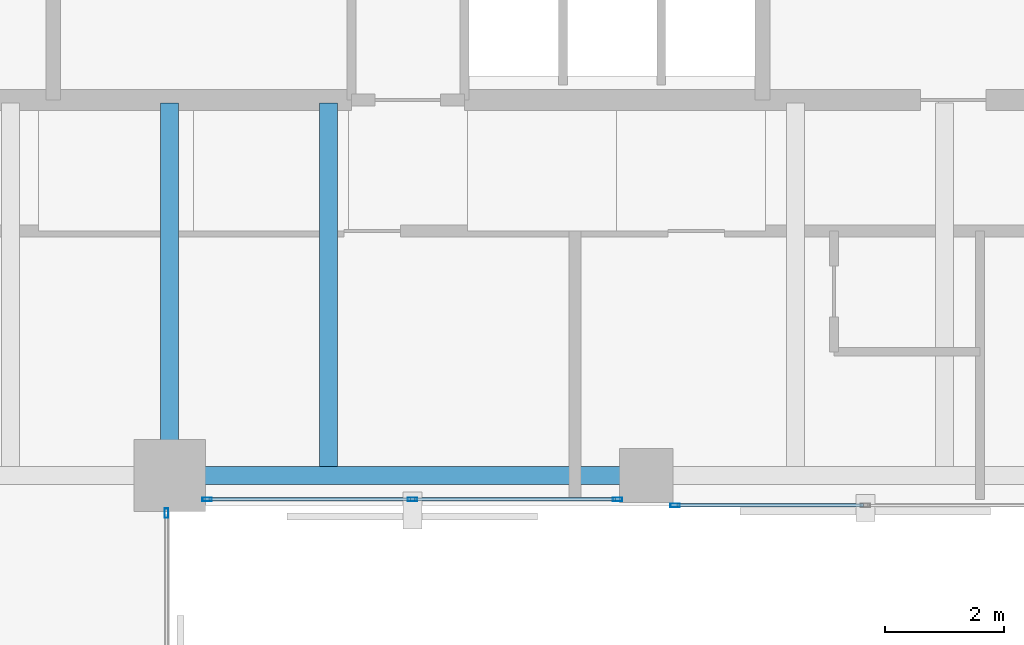
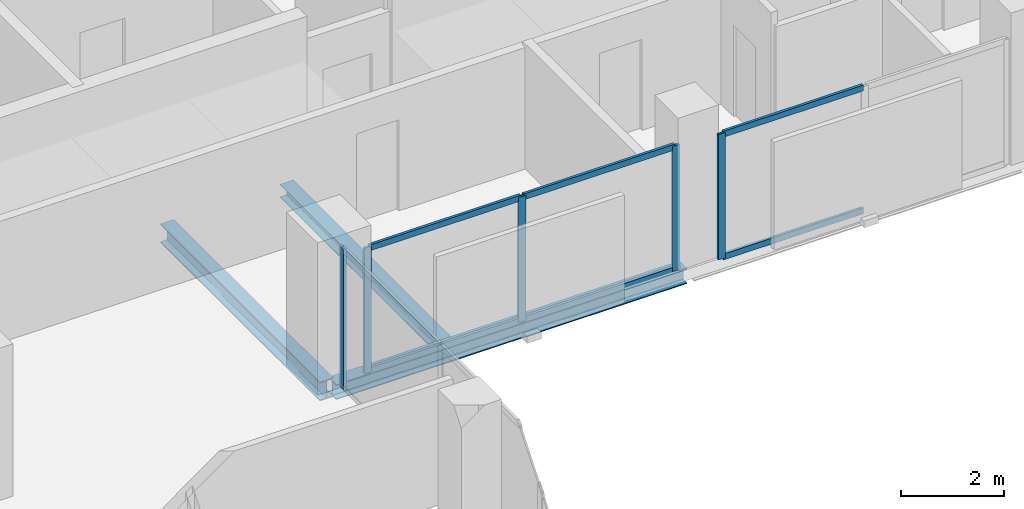
# One storey, part 13 of 34: 11 members, 3 beams, 3 elements without a shape of their own.
"""IFC4 building model written with IfcOpenShell, lengths in metres."""

from ifc_helpers import new_model, si_unit, direction, frame, origin, origin_2d, place, context, subcontext, project, spatial, hollow_rectangle, i_section, extrude, material, layer, layer_set, material_profile, profile_set, type_object, element, aggregate, save


model = new_model("IFC4")

# Units and contexts
model_context = context("Model", 3, precision=1e-05, world=origin(), true_north=direction((0.0, 1.0)))
body_context = subcontext(model_context, "Body", "Model", "MODEL_VIEW")
ifc_project = project(units=[si_unit("LENGTHUNIT", "METRE"), si_unit("AREAUNIT", "SQUARE_METRE"), si_unit("VOLUMEUNIT", "CUBIC_METRE"), si_unit("PLANEANGLEUNIT", "RADIAN"), si_unit("MASSUNIT", "GRAM", prefix="KILO")], contexts=[model_context])

# Site, building, storey
site_placement = place(None, origin())
site = spatial("IfcSite", under=ifc_project, at=site_placement, CompositionType="ELEMENT")
building_placement = place(site_placement, origin())
building = spatial("IfcBuilding", under=site, at=building_placement, Name="Catumbela Crestline Tower", CompositionType="ELEMENT")
storey_placement = place(building_placement, frame((0.0, 0.0, 111.6)))
storey = spatial("IfcBuildingStorey", under=building, at=storey_placement, Name="L28", CompositionType="ELEMENT", Elevation=111.6)

# Beams
ifc_material_1 = material(Name="Structural steel S355J2", Category="steel")
ifc_material_profile_1 = material_profile(ifc_material_1, i_section(OverallWidth=0.3, OverallDepth=0.45, WebThickness=0.014, FlangeThickness=0.026, FilletRadius=0.027, at=origin_2d()), Name="HEB 450")
ifc_profile_set_1 = profile_set([ifc_material_profile_1], Name="Structural steel S355J2")
beam_type_1 = type_object("IfcBeamType", Name="BG-HEB450", PredefinedType="BEAM", material=ifc_profile_set_1)
beam_1_placement = place(storey_placement, frame((24.0, 24.58, -0.485), z_axis=(0.0, 1.0, 0.0), x_axis=(-1.0, 0.0, 0.0)))
element("IfcBeam", 1, at=beam_1_placement, inside=storey, type_object=beam_type_1, Name="L28 Beam BM-L28-SNS29", PredefinedType="BEAM", context=body_context, shape_type="SweptSolid", body=[
    extrude(i_section(OverallWidth=0.3, OverallDepth=0.45, WebThickness=0.014, FlangeThickness=0.026, FilletRadius=0.027, at=origin_2d()), origin(), (0.0, 0.0, 1.0), 6.17),
])
ifc_material_profile_2 = material_profile(ifc_material_1, i_section(OverallWidth=0.3, OverallDepth=0.31, WebThickness=0.009, FlangeThickness=0.0155, FilletRadius=0.027, at=origin_2d()), Name="HEA 320")
ifc_profile_set_2 = profile_set([ifc_material_profile_2], Name="Structural steel S355J2")
beam_type_2 = type_object("IfcBeamType", Name="BJ-HEA320", PredefinedType="JOIST", material=ifc_profile_set_2)
beam_2_placement = place(storey_placement, frame((26.667, 24.647, -0.415), z_axis=(0.0, 1.0, 0.0), x_axis=(-1.0, 0.0, 0.0)))
element("IfcBeam", 2, at=beam_2_placement, inside=storey, type_object=beam_type_2, Name="L28 Joist JS-L28-SP39", PredefinedType="JOIST", context=body_context, shape_type="SweptSolid", body=[
    extrude(i_section(OverallWidth=0.3, OverallDepth=0.31, WebThickness=0.009, FlangeThickness=0.0155, FilletRadius=0.027, at=origin_2d()), origin(), (0.0, 0.0, 1.0), 6.103),
])

# Curtain wall, member
ifc_material_2 = material(Name="Aluminium alloy AW-6060-T66", Category="aluminium")
ifc_layer = layer(ifc_material_2, 0.18, Name="Aluminium alloy AW-6060-T66")
ifc_layer_set = layer_set([ifc_layer], Name="Aluminium alloy AW-6060-T66")
curtain_wall_type = type_object("IfcCurtainWallType", Name="CWU-Z2", PredefinedType="USERDEFINED", material=ifc_layer_set)
curtain_wall_1_placement = place(storey_placement, origin())
curtain_wall_1 = element("IfcCurtainWall", 3, at=curtain_wall_1_placement, inside=storey, type_object=curtain_wall_type, Name="L28 Unitised Curtain Wall CW-L28-E2S1", ObjectType="UNITISED", PredefinedType="USERDEFINED")
ifc_material_profile_3 = material_profile(ifc_material_2, hollow_rectangle(XDim=0.06, YDim=0.16, WallThickness=0.004, at=origin_2d()), Name="ALU 160x60x4")
ifc_profile_set_3 = profile_set([ifc_material_profile_3], Name="Aluminium alloy AW-6060-T66")
member_type_1 = type_object("IfcMemberType", Name="MUL-160X60", PredefinedType="MULLION", material=ifc_profile_set_3)
member_1_placement = place(storey_placement, frame((23.95, 23.8675, 0.0), z_axis=(0.0, 0.0, 1.0), x_axis=(-1.0, 0.0, 0.0)))
member_1 = element("IfcMember", 4, at=member_1_placement, type_object=member_type_1, Name="CWU-Z2 mullion 5", PredefinedType="MULLION", context=body_context, shape_type="SweptSolid", body=[
    extrude(hollow_rectangle(XDim=0.06, YDim=0.16, WallThickness=0.004, at=origin_2d()), origin(), (0.0, 0.0, 1.0), 3.33),
])
aggregate(curtain_wall_1, [member_1])

# Curtain wall, members
curtain_wall_2_placement = place(storey_placement, origin())
curtain_wall_2 = element("IfcCurtainWall", 5, at=curtain_wall_2_placement, inside=storey, type_object=curtain_wall_type, Name="L28 Unitised Curtain Wall CW-L28-E3S1", ObjectType="UNITISED", PredefinedType="USERDEFINED")
member_2_placement = place(storey_placement, frame((24.6325, 24.1, 0.0), z_axis=(0.0, 0.0, 1.0), x_axis=(0.0, 1.0, 0.0)))
member_2 = element("IfcMember", 6, at=member_2_placement, type_object=member_type_1, Name="CWU-Z2 mullion 1", PredefinedType="MULLION", context=body_context, shape_type="SweptSolid", body=[
    extrude(hollow_rectangle(XDim=0.06, YDim=0.16, WallThickness=0.004, at=origin_2d()), origin(), (0.0, 0.0, 1.0), 2.96),
])
member_3_placement = place(storey_placement, frame((28.075, 24.1, 0.0), z_axis=(0.0, 0.0, 1.0), x_axis=(0.0, 1.0, 0.0)))
member_3 = element("IfcMember", 7, at=member_3_placement, type_object=member_type_1, Name="CWU-Z2 mullion 2", PredefinedType="MULLION", context=body_context, shape_type="SweptSolid", body=[
    extrude(hollow_rectangle(XDim=0.06, YDim=0.16, WallThickness=0.004, at=origin_2d()), origin(), (0.0, 0.0, 1.0), 2.96),
])
member_4_placement = place(storey_placement, frame((31.5175, 24.1, 0.0), z_axis=(0.0, 0.0, 1.0), x_axis=(0.0, 1.0, 0.0)))
member_4 = element("IfcMember", 8, at=member_4_placement, type_object=member_type_1, Name="CWU-Z2 mullion 3", PredefinedType="MULLION", context=body_context, shape_type="SweptSolid", body=[
    extrude(hollow_rectangle(XDim=0.06, YDim=0.16, WallThickness=0.004, at=origin_2d()), origin(), (0.0, 0.0, 1.0), 2.96),
])

# Curtain wall, member
curtain_wall_3_placement = place(storey_placement, origin())
curtain_wall_3 = element("IfcCurtainWall", 9, at=curtain_wall_3_placement, inside=storey, type_object=curtain_wall_type, Name="L28 Unitised Curtain Wall CW-L28-E3S2", ObjectType="UNITISED", PredefinedType="USERDEFINED")
member_5_placement = place(storey_placement, frame((32.4825, 24.0, 0.0), z_axis=(0.0, 0.0, 1.0), x_axis=(0.0, 1.0, 0.0)))
member_5 = element("IfcMember", 10, at=member_5_placement, type_object=member_type_1, Name="CWU-Z2 mullion 1", PredefinedType="MULLION", context=body_context, shape_type="SweptSolid", body=[
    extrude(hollow_rectangle(XDim=0.06, YDim=0.16, WallThickness=0.004, at=origin_2d()), origin(), (0.0, 0.0, 1.0), 2.96),
])

# Beam
ifc_material_profile_4 = material_profile(ifc_material_1, i_section(OverallWidth=0.3, OverallDepth=0.36, WebThickness=0.0125, FlangeThickness=0.0225, FilletRadius=0.027, at=origin_2d()), Name="HEB 360")
ifc_profile_set_4 = profile_set([ifc_material_profile_4], Name="Structural steel S355J2")
beam_type_3 = type_object("IfcBeamType", Name="BS-HEB360", PredefinedType="SPANDREL", material=ifc_profile_set_4)
beam_3_placement = place(storey_placement, frame((24.08, 24.5, -0.44), z_axis=(1.0, 0.0, 0.0), x_axis=(0.0, 1.0, 0.0)))
element("IfcBeam", 11, at=beam_3_placement, inside=storey, type_object=beam_type_3, Name="L28 Spandrel SP-L28-S05", PredefinedType="SPANDREL", context=body_context, shape_type="SweptSolid", body=[
    extrude(i_section(OverallWidth=0.3, OverallDepth=0.36, WebThickness=0.0125, FlangeThickness=0.0225, FilletRadius=0.027, at=origin_2d()), origin(), (0.0, 0.0, 1.0), 7.84),
])

# Member
ifc_material_profile_5 = material_profile(ifc_material_2, hollow_rectangle(XDim=0.06, YDim=0.14, WallThickness=0.004, at=origin_2d()), Name="ALU 140x60x4")
ifc_profile_set_5 = profile_set([ifc_material_profile_5], Name="Aluminium alloy AW-6060-T66")
member_type_2 = type_object("IfcMemberType", Name="TRN-140X60", PredefinedType="USERDEFINED", material=ifc_profile_set_5)
member_6_placement = place(storey_placement, frame((24.665, 24.1, 0.03), z_axis=(1.0, 0.0, 0.0), x_axis=(0.0, 1.0, 0.0)))
member_6 = element("IfcMember", 12, at=member_6_placement, type_object=member_type_2, Name="CWU-Z2 transom 1.1", ObjectType="TRANSOM", PredefinedType="USERDEFINED", context=body_context, shape_type="SweptSolid", body=[
    extrude(hollow_rectangle(XDim=0.06, YDim=0.14, WallThickness=0.004, at=origin_2d()), origin(), (0.0, 0.0, 1.0), 3.3775),
])

member_7_placement = place(storey_placement, frame((24.665, 24.1, 2.93), z_axis=(1.0, 0.0, 0.0), x_axis=(0.0, 1.0, 0.0)))
member_7 = element("IfcMember", 13, at=member_7_placement, type_object=member_type_2, Name="CWU-Z2 transom 1.2", ObjectType="TRANSOM", PredefinedType="USERDEFINED", context=body_context, shape_type="SweptSolid", body=[
    extrude(hollow_rectangle(XDim=0.06, YDim=0.14, WallThickness=0.004, at=origin_2d()), origin(), (0.0, 0.0, 1.0), 3.3775),
])

member_8_placement = place(storey_placement, frame((28.1075, 24.1, 0.03), z_axis=(1.0, 0.0, 0.0), x_axis=(0.0, 1.0, 0.0)))
member_8 = element("IfcMember", 14, at=member_8_placement, type_object=member_type_2, Name="CWU-Z2 transom 2.1", ObjectType="TRANSOM", PredefinedType="USERDEFINED", context=body_context, shape_type="SweptSolid", body=[
    extrude(hollow_rectangle(XDim=0.06, YDim=0.14, WallThickness=0.004, at=origin_2d()), origin(), (0.0, 0.0, 1.0), 3.3775),
])

member_9_placement = place(storey_placement, frame((28.1075, 24.1, 2.93), z_axis=(1.0, 0.0, 0.0), x_axis=(0.0, 1.0, 0.0)))
member_9 = element("IfcMember", 15, at=member_9_placement, type_object=member_type_2, Name="CWU-Z2 transom 2.2", ObjectType="TRANSOM", PredefinedType="USERDEFINED", context=body_context, shape_type="SweptSolid", body=[
    extrude(hollow_rectangle(XDim=0.06, YDim=0.14, WallThickness=0.004, at=origin_2d()), origin(), (0.0, 0.0, 1.0), 3.3775),
])

aggregate(curtain_wall_2, [member_2, member_3, member_4, member_6, member_7, member_8, member_9])

member_10_placement = place(storey_placement, frame((32.515, 24.0, 0.03), z_axis=(1.0, 0.0, 0.0), x_axis=(0.0, 1.0, 0.0)))
member_10 = element("IfcMember", 16, at=member_10_placement, type_object=member_type_2, Name="CWU-Z2 transom 1.1", ObjectType="TRANSOM", PredefinedType="USERDEFINED", context=body_context, shape_type="SweptSolid", body=[
    extrude(hollow_rectangle(XDim=0.06, YDim=0.14, WallThickness=0.004, at=origin_2d()), origin(), (0.0, 0.0, 1.0), 3.1275),
])

member_11_placement = place(storey_placement, frame((32.515, 24.0, 2.93), z_axis=(1.0, 0.0, 0.0), x_axis=(0.0, 1.0, 0.0)))
member_11 = element("IfcMember", 17, at=member_11_placement, type_object=member_type_2, Name="CWU-Z2 transom 1.2", ObjectType="TRANSOM", PredefinedType="USERDEFINED", context=body_context, shape_type="SweptSolid", body=[
    extrude(hollow_rectangle(XDim=0.06, YDim=0.14, WallThickness=0.004, at=origin_2d()), origin(), (0.0, 0.0, 1.0), 3.1275),
])

aggregate(curtain_wall_3, [member_5, member_10, member_11])

save(model, "model.ifc")
